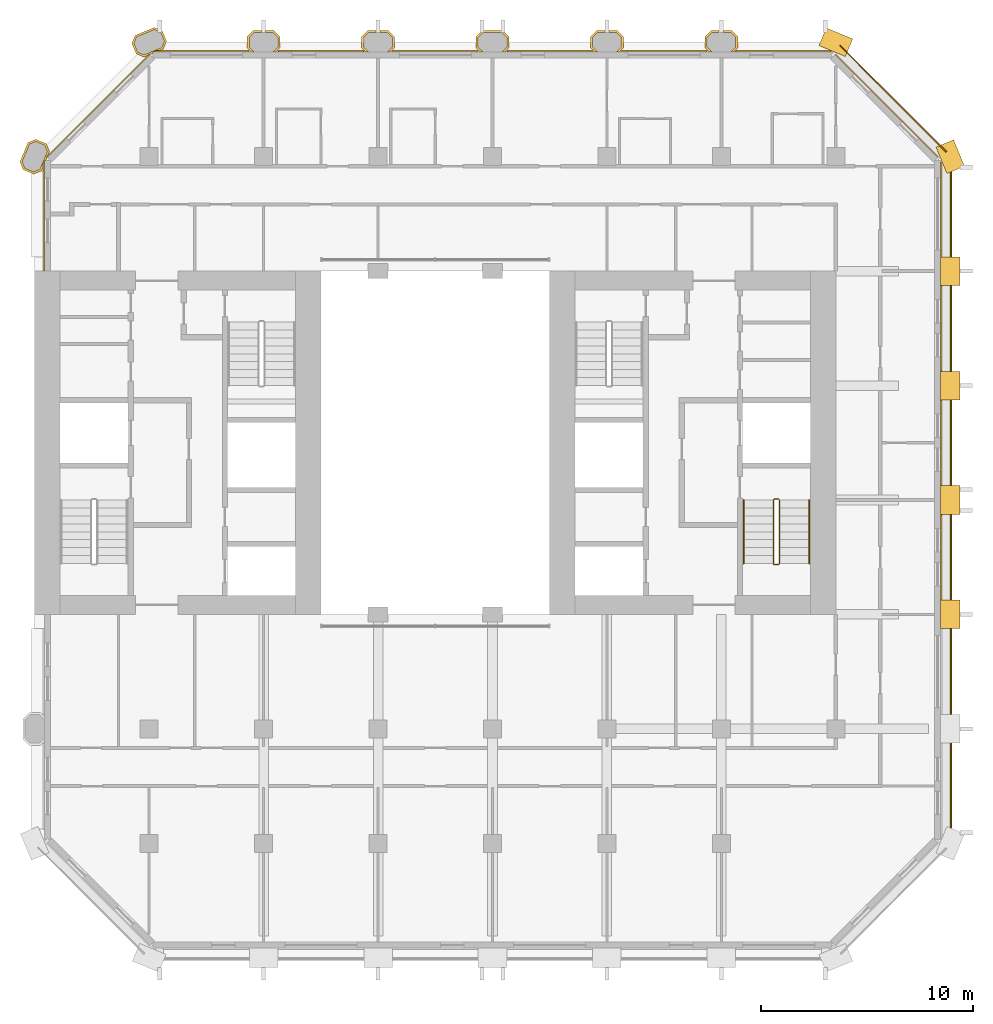
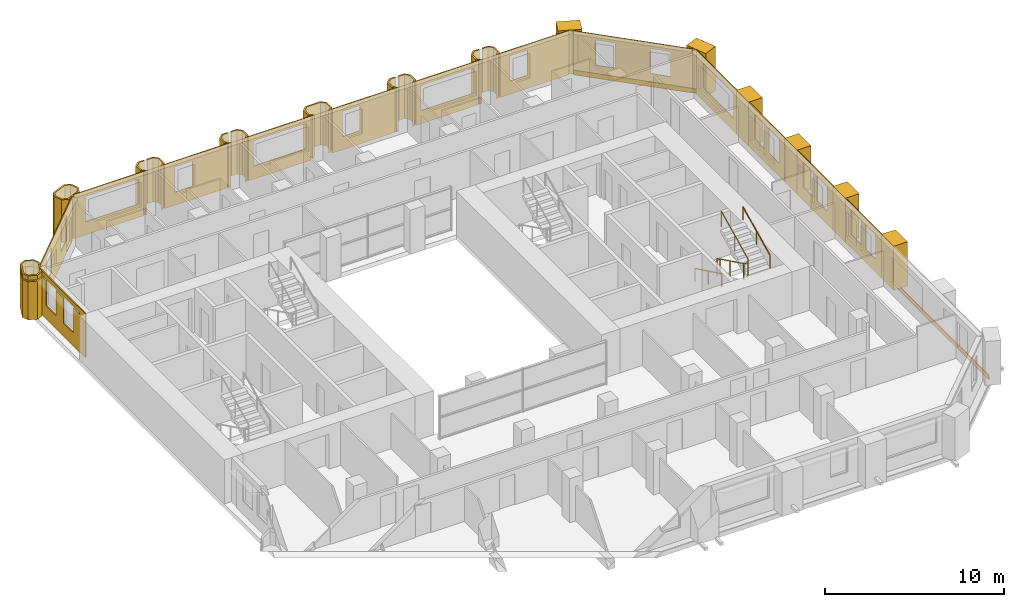
# One storey, part 13 of 13: 33 coverings, 3 railings.
"""IFC4 building model written with IfcOpenShell, lengths in metres."""

from ifc_helpers import new_model, si_unit, direction, frame, frame_2d, origin, origin_2d, place, context, subcontext, project, spatial, polyline, rectangle, circle, outline, extrude, material, layer, layer_set, type_object, element, save


model = new_model("IFC4")

# Units and contexts
model_context = context("Model", 3, precision=1e-05, world=origin(), true_north=direction((0.0, 1.0)))
body_context = subcontext(model_context, "Body", "Model", "MODEL_VIEW")
ifc_project = project(units=[si_unit("LENGTHUNIT", "METRE"), si_unit("AREAUNIT", "SQUARE_METRE"), si_unit("VOLUMEUNIT", "CUBIC_METRE"), si_unit("PLANEANGLEUNIT", "RADIAN"), si_unit("MASSUNIT", "GRAM", prefix="KILO")], contexts=[model_context])

# Site, building, storey
site_placement = place(None, origin())
site = spatial("IfcSite", under=ifc_project, at=site_placement, CompositionType="ELEMENT")
building_placement = place(site_placement, origin())
building = spatial("IfcBuilding", under=site, at=building_placement, Name="Tabaq Tower and Sports Hall", CompositionType="ELEMENT")
storey_placement = place(building_placement, frame((0.0, 0.0, 169.300048828125)))
storey = spatial("IfcBuildingStorey", under=building, at=storey_placement, Name="L40", CompositionType="ELEMENT", Elevation=169.300048828125)

# Coverings
ifc_material_1 = material(Name="Precast concrete C60/75", Category="concrete")
ifc_layer_1 = layer(ifc_material_1, 0.10009765625)
ifc_layer_set_1 = layer_set([ifc_layer_1], Name="Column cladding 100")
covering_type_1 = type_object("IfcCoveringType", Name="Column cladding 100", PredefinedType="CLADDING", material=ifc_layer_set_1)
covering_1_placement = place(storey_placement, origin())
element("IfcCovering", 1, at=covering_1_placement, inside=storey, type_object=covering_type_1, Name="Column cladding L40 PC-2H-H1", PredefinedType="CLADDING", context=body_context, shape_type="SweptSolid", body=[
    extrude(outline(polyline([(4.857421875, 37.186279296875), (4.7041015625, 37.556396484375), (5.080078125, 38.46435546875), (5.450439453125, 38.61767578125), (5.9423828125, 38.413818359375), (6.095947265625, 38.04345703125), (6.026123046875, 37.875), (5.9501953125, 37.799072265625), (5.9814453125, 37.767578125), (5.91796875, 37.614013671875), (5.849609375, 37.614013671875), (5.849609375, 37.55712890625), (5.789794921875, 37.55712890625), (5.789794921875, 37.304443359375), (5.7197265625, 37.1357421875), (5.349609375, 36.982421875), (4.857421875, 37.186279296875)]), holes=[polyline([(5.866455078125, 38.337646484375), (5.450439453125, 38.510009765625), (5.15625, 38.38818359375), (4.811767578125, 37.556396484375), (4.93359375, 37.26220703125), (5.349609375, 37.08984375), (5.643798828125, 37.2119140625), (5.98828125, 38.04345703125), (5.866455078125, 38.337646484375)])]), origin(), (0.0, 0.0, 1.0), 2.599853515625),
])
covering_2_placement = place(storey_placement, frame((0.0, 0.0, 2.699951171875)))
element("IfcCovering", 2, at=covering_2_placement, inside=storey, type_object=covering_type_1, Name="Column cladding L40 PC-2H-H1 2", PredefinedType="CLADDING", context=body_context, shape_type="SweptSolid", body=[
    extrude(outline(polyline([(4.857421875, 37.186279296875), (4.7041015625, 37.556396484375), (5.080078125, 38.46435546875), (5.450439453125, 38.61767578125), (5.9423828125, 38.413818359375), (6.095947265625, 38.04345703125), (6.026123046875, 37.875), (5.9501953125, 37.799072265625), (5.9814453125, 37.767578125), (5.91796875, 37.614013671875), (5.849609375, 37.614013671875), (5.849609375, 37.55712890625), (5.789794921875, 37.55712890625), (5.789794921875, 37.304443359375), (5.7197265625, 37.1357421875), (5.349609375, 36.982421875), (4.857421875, 37.186279296875)]), holes=[polyline([(5.866455078125, 38.337646484375), (5.450439453125, 38.510009765625), (5.15625, 38.38818359375), (4.811767578125, 37.556396484375), (4.93359375, 37.26220703125), (5.349609375, 37.08984375), (5.643798828125, 37.2119140625), (5.98828125, 38.04345703125), (5.866455078125, 38.337646484375)])]), origin(), (0.0, 0.0, 1.0), 0.300048828125),
])
covering_3_placement = place(storey_placement, frame((0.0, 0.0, 0.099853515625)))
element("IfcCovering", 3, at=covering_3_placement, inside=storey, type_object=covering_type_1, Name="Column cladding L40 PC-3I-H1", PredefinedType="CLADDING", context=body_context, shape_type="SweptSolid", body=[
    extrude(outline(polyline([(9.982421875, 43.149658203125), (10.1357421875, 43.519775390625), (11.04345703125, 43.895751953125), (11.413818359375, 43.742431640625), (11.61767578125, 43.25048828125), (11.46435546875, 42.880126953125), (11.295654296875, 42.810302734375), (11.04296875, 42.810302734375), (11.04296875, 42.750244140625), (10.986083984375, 42.750244140625), (10.986083984375, 42.68212890625), (10.83251953125, 42.618408203125), (10.801025390625, 42.64990234375), (10.72509765625, 42.573974609375), (10.556396484375, 42.504150390625), (10.186279296875, 42.657470703125), (9.982421875, 43.149658203125)]), holes=[polyline([(11.510009765625, 43.25048828125), (11.337646484375, 43.66650390625), (11.04345703125, 43.788330078125), (10.2119140625, 43.44384765625), (10.08984375, 43.149658203125), (10.26220703125, 42.733642578125), (10.556396484375, 42.61181640625), (11.38818359375, 42.956298828125), (11.510009765625, 43.25048828125)])]), origin(), (0.0, 0.0, 1.0), 2.900146484375),
])
covering_4_placement = place(storey_placement, origin())
element("IfcCovering", 4, at=covering_4_placement, inside=storey, type_object=covering_type_1, Name="Column cladding L40 PC-4I-H1", PredefinedType="CLADDING", context=body_context, shape_type="SweptSolid", body=[
    extrude(outline(polyline([(16.69140625, 43.749755859375), (16.974609375, 43.46630859375), (16.974609375, 42.93359375), (16.791259765625, 42.750244140625), (16.650634765625, 42.750244140625), (16.875244140625, 42.974853515625), (16.875244140625, 43.425048828125), (16.650146484375, 43.650390625), (16.30029296875, 43.650390625), (16.30029296875, 43.749755859375), (16.69140625, 43.749755859375)])), origin(), (0.0, 0.0, 1.0), 3.0),
])
covering_5_placement = place(storey_placement, origin())
element("IfcCovering", 5, at=covering_5_placement, inside=storey, type_object=covering_type_1, Name="Column cladding L40 PC-4I-H1 2", PredefinedType="CLADDING", context=body_context, shape_type="SweptSolid", body=[
    extrude(outline(polyline([(15.42529296875, 43.46630859375), (15.708740234375, 43.749755859375), (16.099609375, 43.749755859375), (16.099609375, 43.650390625), (15.749755859375, 43.650390625), (15.524658203125, 43.425048828125), (15.524658203125, 42.974853515625), (15.749267578125, 42.750244140625), (15.608642578125, 42.750244140625), (15.42529296875, 42.93359375), (15.42529296875, 43.46630859375)])), origin(), (0.0, 0.0, 1.0), 3.0),
])
covering_6_placement = place(storey_placement, origin())
element("IfcCovering", 6, at=covering_6_placement, inside=storey, type_object=covering_type_1, Name="Column cladding L40 PC-5I-H1", PredefinedType="CLADDING", context=body_context, shape_type="SweptSolid", body=[
    extrude(outline(polyline([(22.09130859375, 43.749755859375), (22.374755859375, 43.46630859375), (22.374755859375, 42.93359375), (22.19140625, 42.750244140625), (22.05078125, 42.750244140625), (22.275390625, 42.974853515625), (22.275390625, 43.425048828125), (22.050048828125, 43.650390625), (21.7001953125, 43.650390625), (21.7001953125, 43.749755859375), (22.09130859375, 43.749755859375)])), origin(), (0.0, 0.0, 1.0), 3.0),
])
covering_7_placement = place(storey_placement, origin())
element("IfcCovering", 7, at=covering_7_placement, inside=storey, type_object=covering_type_1, Name="Column cladding L40 PC-5I-H1 2", PredefinedType="CLADDING", context=body_context, shape_type="SweptSolid", body=[
    extrude(outline(polyline([(20.8251953125, 43.46630859375), (21.108642578125, 43.749755859375), (21.499755859375, 43.749755859375), (21.499755859375, 43.650390625), (21.14990234375, 43.650390625), (20.9248046875, 43.425048828125), (20.9248046875, 42.974853515625), (21.149169921875, 42.750244140625), (21.0087890625, 42.750244140625), (20.8251953125, 42.93359375), (20.8251953125, 43.46630859375)])), origin(), (0.0, 0.0, 1.0), 3.0),
])
covering_8_placement = place(storey_placement, frame((0.0, 0.0, 0.099853515625)))
element("IfcCovering", 8, at=covering_8_placement, inside=storey, type_object=covering_type_1, Name="Column cladding L40 PC-6I-H1", PredefinedType="CLADDING", context=body_context, shape_type="SweptSolid", body=[
    extrude(outline(polyline([(26.225341796875, 43.46630859375), (26.5087890625, 43.749755859375), (27.4912109375, 43.749755859375), (27.774658203125, 43.46630859375), (27.774658203125, 42.93359375), (27.59130859375, 42.750244140625), (27.45068359375, 42.750244140625), (27.67529296875, 42.974853515625), (27.67529296875, 43.425048828125), (27.4501953125, 43.650390625), (26.5498046875, 43.650390625), (26.32470703125, 43.425048828125), (26.32470703125, 42.974853515625), (26.54931640625, 42.750244140625), (26.40869140625, 42.750244140625), (26.225341796875, 42.93359375), (26.225341796875, 43.46630859375)])), origin(), (0.0, 0.0, 1.0), 2.900146484375),
])
covering_9_placement = place(storey_placement, origin())
element("IfcCovering", 9, at=covering_9_placement, inside=storey, type_object=covering_type_1, Name="Column cladding L40 PC-7I-H1", PredefinedType="CLADDING", context=body_context, shape_type="SweptSolid", body=[
    extrude(outline(polyline([(31.625244140625, 43.46630859375), (31.90869140625, 43.749755859375), (32.2998046875, 43.749755859375), (32.2998046875, 43.650390625), (31.949951171875, 43.650390625), (31.724609375, 43.425048828125), (31.724609375, 42.974853515625), (31.94921875, 42.750244140625), (31.80859375, 42.750244140625), (31.625244140625, 42.93359375), (31.625244140625, 43.46630859375)])), origin(), (0.0, 0.0, 1.0), 3.0),
])
covering_10_placement = place(storey_placement, origin())
element("IfcCovering", 10, at=covering_10_placement, inside=storey, type_object=covering_type_1, Name="Column cladding L40 PC-7I-H1 2", PredefinedType="CLADDING", context=body_context, shape_type="SweptSolid", body=[
    extrude(outline(polyline([(32.891357421875, 43.749755859375), (33.1748046875, 43.46630859375), (33.1748046875, 42.93359375), (32.9912109375, 42.750244140625), (32.850830078125, 42.750244140625), (33.0751953125, 42.974853515625), (33.0751953125, 43.425048828125), (32.85009765625, 43.650390625), (32.500244140625, 43.650390625), (32.500244140625, 43.749755859375), (32.891357421875, 43.749755859375)])), origin(), (0.0, 0.0, 1.0), 3.0),
])
covering_11_placement = place(storey_placement, origin())
element("IfcCovering", 11, at=covering_11_placement, inside=storey, type_object=covering_type_1, Name="Column cladding L40 PC-8I-H1", PredefinedType="CLADDING", context=body_context, shape_type="SweptSolid", body=[
    extrude(outline(polyline([(37.025390625, 43.46630859375), (37.30859375, 43.749755859375), (37.69970703125, 43.749755859375), (37.69970703125, 43.650390625), (37.349853515625, 43.650390625), (37.124755859375, 43.425048828125), (37.124755859375, 42.974853515625), (37.349365234375, 42.750244140625), (37.208740234375, 42.750244140625), (37.025390625, 42.93359375), (37.025390625, 43.46630859375)])), origin(), (0.0, 0.0, 1.0), 3.0),
])
covering_12_placement = place(storey_placement, origin())
element("IfcCovering", 12, at=covering_12_placement, inside=storey, type_object=covering_type_1, Name="Column cladding L40 PC-8I-H1 2", PredefinedType="CLADDING", context=body_context, shape_type="SweptSolid", body=[
    extrude(outline(polyline([(38.291259765625, 43.749755859375), (38.57470703125, 43.46630859375), (38.57470703125, 42.93359375), (38.391357421875, 42.750244140625), (38.250732421875, 42.750244140625), (38.475341796875, 42.974853515625), (38.475341796875, 43.425048828125), (38.250244140625, 43.650390625), (37.900390625, 43.650390625), (37.900390625, 43.749755859375), (38.291259765625, 43.749755859375)])), origin(), (0.0, 0.0, 1.0), 3.0),
])
ifc_material_2 = material(Name="Precast concrete C60/75", Category="concrete")
ifc_layer_2 = layer(ifc_material_2, 0.06005859375)
ifc_layer_set_2 = layer_set([ifc_layer_2], Name="Edge beam cladding 60")
covering_type_2 = type_object("IfcCoveringType", Name="Edge beam cladding 60", PredefinedType="CLADDING", material=ifc_layer_set_2)
covering_13_placement = place(storey_placement, frame((48.6298828125, 5.698486328125, -0.300048828125), z_axis=(0.0, 0.0, 1.0), x_axis=(0.0, 1.0, 0.0)))
element("IfcCovering", 13, at=covering_13_placement, inside=storey, type_object=covering_type_2, Name="Edge beam cladding L40 3", PredefinedType="CLADDING", context=body_context, shape_type="SweptSolid", body=[
    extrude(rectangle(XDim=31.802978515625, YDim=0.06005859375, at=frame_2d((15.9013671875, 0.0))), origin(), (0.0, 0.0, 1.0), 0.300048828125),
])
covering_14_placement = place(storey_placement, frame((48.41015625, 38.0322265625, -0.300048828125), z_axis=(0.0, 0.0, 1.0), x_axis=(-0.707106781187, 0.707106781187, 0.0)))
element("IfcCovering", 14, at=covering_14_placement, inside=storey, type_object=covering_type_2, Name="Edge beam cladding L40 4", PredefinedType="CLADDING", context=body_context, shape_type="SweptSolid", body=[
    extrude(rectangle(XDim=7.08837890625, YDim=0.06005859375, at=frame_2d((3.544189453125, 0.0))), origin(), (0.0, 0.0, 1.0), 0.300048828125),
])
ifc_material_3 = material(Name="White precast concrete C60/75", Category="concrete")
covering_type_3 = type_object("IfcCoveringType", Name="Pier cladding hung 1350x900", PredefinedType="CLADDING", material=ifc_material_3)
for number, where, z_axis, x_axis, name in (
    (15, (43.82373046875, 42.941650390625, 0.0), (0.0, 0.0, 1.0), (-0.923893411637, 0.382649923473, 0.0), "Hung pier cladding 8/8"),
    (16, (48.60009765625, 15.52490234375, 0.0), (0.0, 0.0, 1.0), (0.0, 1.0, 0.0), "Hung pier cladding 9/3"),
):
    element("IfcCovering", number, at=place(storey_placement, frame(where, z_axis=z_axis, x_axis=x_axis)), inside=storey, type_object=covering_type_3, Name=name, PredefinedType="CLADDING", context=body_context, shape_type="SweptSolid", body=[
        extrude(rectangle(XDim=1.35009765625, YDim=0.89990234375, at=frame_2d((0.675048828125, 0.0))), origin(), (0.0, 0.0, 1.0), 3.0),
    ])
covering_15_placement = place(storey_placement, frame((48.60009765625, 20.925048828125, 0.0), z_axis=(0.0, 0.0, 1.0), x_axis=(0.0, 1.0, 0.0)))
element("IfcCovering", 17, at=covering_15_placement, inside=storey, type_object=covering_type_3, Name="Hung pier cladding 9/4", PredefinedType="CLADDING", context=body_context, shape_type="SweptSolid", body=[
    extrude(rectangle(XDim=1.349853515625, YDim=0.89990234375, at=frame_2d((0.6748046875, 0.0))), origin(), (0.0, 0.0, 1.0), 3.0),
])
covering_16_placement = place(storey_placement, frame((48.60009765625, 26.324951171875, 0.0), z_axis=(0.0, 0.0, 1.0), x_axis=(0.0, 1.0, 0.0)))
element("IfcCovering", 18, at=covering_16_placement, inside=storey, type_object=covering_type_3, Name="Hung pier cladding 9/5", PredefinedType="CLADDING", context=body_context, shape_type="SweptSolid", body=[
    extrude(rectangle(XDim=1.35009765625, YDim=0.89990234375, at=frame_2d((0.675048828125, 0.0))), origin(), (0.0, 0.0, 1.0), 3.0),
])
covering_17_placement = place(storey_placement, frame((48.60009765625, 31.72509765625, 0.0), z_axis=(0.0, 0.0, 1.0), x_axis=(0.0, 1.0, 0.0)))
element("IfcCovering", 19, at=covering_17_placement, inside=storey, type_object=covering_type_3, Name="Hung pier cladding 9/6", PredefinedType="CLADDING", context=body_context, shape_type="SweptSolid", body=[
    extrude(rectangle(XDim=1.349853515625, YDim=0.89990234375, at=frame_2d((0.6748046875, 0.0))), origin(), (0.0, 0.0, 1.0), 3.0),
])
covering_18_placement = place(storey_placement, frame((48.8583984375, 37.17626953125, 0.0), z_axis=(0.0, 0.0, 1.0), x_axis=(-0.382649923473, 0.923893411637, 0.0)))
element("IfcCovering", 20, at=covering_18_placement, inside=storey, type_object=covering_type_3, Name="Hung pier cladding 9/7", PredefinedType="CLADDING", context=body_context, shape_type="SweptSolid", body=[
    extrude(rectangle(XDim=1.35009765625, YDim=0.89990234375, at=frame_2d((0.675048828125, 0.0))), origin(), (0.0, 0.0, 1.0), 3.0),
])

# Railings
ifc_material_4 = material(Name="Stainless steel", Category="steel")
railing_type_1 = type_object("IfcRailingType", Name="Stair guard", PredefinedType="GUARDRAIL", material=ifc_material_4)
railing_1_placement = place(storey_placement, frame((40.5, 21.64990234375, 0.0)))
element("IfcRailing", 21, at=railing_1_placement, inside=storey, type_object=railing_type_1, Name="L40 ST3 stair guard 1", PredefinedType="GUARDRAIL", context=body_context, shape_type="SweptSolid", body=[
    extrude(circle(Radius=0.02392578125, at=origin_2d()), frame((0.0, 0.0, 1.076171875), z_axis=(-1.0, 0.0, 0.0), x_axis=(0.0, -1.0, 0.0)), (0.0, 0.0, 1.0), 0.199951171875),
    extrude(circle(Radius=0.02392578125, at=origin_2d()), frame((-0.199951171875, 0.0, 1.076171875), z_axis=(-0.254733673405, -0.25349107012, 0.933195066962), x_axis=(0.705375805398, -0.708833529934, 0.0)), (0.0, 0.0, 1.0), 0.196533203125),
    extrude(circle(Radius=0.02392578125, at=origin_2d()), frame((-0.25, -0.0498046875, 1.25927734375), z_axis=(0.0, -0.898397823093, 0.439182594671), x_axis=(1.0, 0.0, 0.0)), (0.0, 0.0, 1.0), 3.33935546875),
    extrude(circle(Radius=0.02392578125, at=origin_2d()), frame((-0.25, -3.0498046875, 2.72607421875), z_axis=(0.707106781187, -0.707106781187, 0.0), x_axis=(0.707106781187, 0.707106781187, 0.0)), (0.0, 0.0, 1.0), 0.07080078125),
    extrude(circle(Radius=0.02392578125, at=origin_2d()), frame((-0.199951171875, -3.099853515625, 2.72607421875), z_axis=(1.0, 0.0, 0.0), x_axis=(0.0, 1.0, 0.0)), (0.0, 0.0, 1.0), 0.199951171875),
    extrude(circle(Radius=0.02392578125, at=origin_2d()), frame((0.0, -3.099853515625, 2.72607421875), z_axis=(0.254653276557, 0.254653276557, 0.932900539971), x_axis=(-0.707106781187, 0.707106781187, 0.0)), (0.0, 0.0, 1.0), 0.196533203125),
    extrude(circle(Radius=0.02392578125, at=origin_2d()), frame((0.050048828125, -3.0498046875, 2.9091796875), z_axis=(0.0, 0.898368975038, 0.439241601728), x_axis=(-1.0, 0.0, 0.0)), (0.0, 0.0, 1.0), 3.33935546875),
    extrude(circle(Radius=0.02099609375, at=origin_2d()), origin(), (0.0, 0.0, 1.0), 1.052001953125),
    extrude(circle(Radius=0.02099609375, at=origin_2d()), frame((-0.199951171875, 0.0, 0.0)), (0.0, 0.0, 1.0), 1.052001953125),
    extrude(circle(Radius=0.02099609375, at=origin_2d()), frame((-0.25, -0.0498046875, 0.183349609375)), (0.0, 0.0, 1.0), 1.052001953125),
    extrude(circle(Radius=0.02099609375, at=origin_2d()), frame((-0.25, -1.5498046875, 0.91650390625)), (0.0, 0.0, 1.0), 1.052001953125),
    extrude(circle(Radius=0.02099609375, at=origin_2d()), frame((-0.25, -3.0498046875, 1.64990234375)), (0.0, 0.0, 1.0), 1.052001953125),
    extrude(circle(Radius=0.02099609375, at=origin_2d()), frame((-0.199951171875, -3.099853515625, 1.64990234375)), (0.0, 0.0, 1.0), 1.052001953125),
    extrude(circle(Radius=0.02099609375, at=origin_2d()), frame((0.0, -3.099853515625, 1.64990234375)), (0.0, 0.0, 1.0), 1.052001953125),
    extrude(circle(Radius=0.02099609375, at=origin_2d()), frame((0.050048828125, -3.0498046875, 1.833251953125)), (0.0, 0.0, 1.0), 1.052001953125),
    extrude(circle(Radius=0.02099609375, at=origin_2d()), frame((0.050048828125, -1.5498046875, 2.566650390625)), (0.0, 0.0, 1.0), 1.052001953125),
    extrude(circle(Radius=0.02099609375, at=origin_2d()), frame((0.050048828125, -0.0498046875, 3.300048828125)), (0.0, 0.0, 1.0), 1.052001953125),
])
ifc_material_5 = material(Name="Stainless steel", Category="steel")
railing_type_2 = type_object("IfcRailingType", Name="Stair handrail", PredefinedType="HANDRAIL", material=ifc_material_5)
railing_2_placement = place(storey_placement, frame((38.85009765625, 21.60009765625, 0.183349609375)))
element("IfcRailing", 22, at=railing_2_placement, inside=storey, type_object=railing_type_2, Name="L40 ST3 stair handrail 1", PredefinedType="HANDRAIL", context=body_context, shape_type="SweptSolid", body=[
    extrude(circle(Radius=0.02392578125, at=origin_2d()), frame((0.0, 0.0, 0.8759765625), z_axis=(0.0, -0.898397823093, 0.439182594671), x_axis=(1.0, 0.0, 0.0)), (0.0, 0.0, 1.0), 3.33935546875),
    extrude(circle(Radius=0.02099609375, at=origin_2d()), origin(), (0.0, 0.0, 1.0), 0.851806640625),
    extrude(circle(Radius=0.02099609375, at=origin_2d()), frame((0.0, -1.5, 0.7333984375)), (0.0, 0.0, 1.0), 0.851806640625),
    extrude(circle(Radius=0.02099609375, at=origin_2d()), frame((0.0, -3.0, 1.466552734375)), (0.0, 0.0, 1.0), 0.851806640625),
])
railing_3_placement = place(storey_placement, frame((41.949951171875, 18.60009765625, 1.833251953125)))
element("IfcRailing", 23, at=railing_3_placement, inside=storey, type_object=railing_type_2, Name="L40 ST3 stair handrail 2", PredefinedType="HANDRAIL", context=body_context, shape_type="SweptSolid", body=[
    extrude(circle(Radius=0.02392578125, at=origin_2d()), frame((0.0, 0.0, 0.8759765625), z_axis=(0.0, 0.898368975038, 0.439241601728), x_axis=(-1.0, 0.0, 0.0)), (0.0, 0.0, 1.0), 3.33935546875),
    extrude(circle(Radius=0.02099609375, at=origin_2d()), origin(), (0.0, 0.0, 1.0), 0.851806640625),
    extrude(circle(Radius=0.02099609375, at=origin_2d()), frame((0.0, 1.5, 0.7333984375)), (0.0, 0.0, 1.0), 0.851806640625),
    extrude(circle(Radius=0.02099609375, at=origin_2d()), frame((0.0, 3.0, 1.466796875)), (0.0, 0.0, 1.0), 0.851806640625),
])

# Coverings
ifc_material_6 = material(Name="Precast concrete C60/75", Category="concrete")
ifc_layer_3 = layer(ifc_material_6, 0.06005859375)
ifc_layer_set_3 = layer_set([ifc_layer_3], Name="White precast cladding panel 60 C60/75")
covering_type_4 = type_object("IfcCoveringType", Name="White precast cladding panel 60 C60/75", PredefinedType="CLADDING", material=ifc_layer_set_3)
for number, where, z_axis, x_axis, name in (
    (24, (48.179931640625, 16.885009765625, 0.0), (0.0, 0.0, 1.0), (0.0, 1.0, 0.0), "White precast cladding panel L40 wall02 3"),
    (25, (48.179931640625, 22.284912109375, 0.0), (0.0, 0.0, 1.0), (0.0, 1.0, 0.0), "White precast cladding panel L40 wall02 4"),
    (26, (48.179931640625, 27.68505859375, 0.0), (0.0, 0.0, 1.0), (0.0, 1.0, 0.0), "White precast cladding panel L40 wall02 5"),
):
    element("IfcCovering", number, at=place(storey_placement, frame(where, z_axis=z_axis, x_axis=x_axis)), inside=storey, type_object=covering_type_4, Name=name, PredefinedType="CLADDING", context=body_context, shape_type="SweptSolid", body=[
        extrude(outline(polyline([(0.0, 0.0), (4.030029296875, 0.0), (4.030029296875, 3.0), (0.0, 3.0), (0.0, 0.0)]), holes=[polyline([(0.655029296875, 2.60986328125), (1.77490234375, 2.60986328125), (1.77490234375, 0.889892578125), (0.655029296875, 0.889892578125), (0.655029296875, 2.60986328125)]), polyline([(2.2548828125, 2.60986328125), (3.375, 2.60986328125), (3.375, 0.889892578125), (2.2548828125, 0.889892578125), (2.2548828125, 2.60986328125)])]), frame((0.0, 0.030029296875, 0.0), z_axis=(0.0, -1.0, 0.0), x_axis=(1.0, 0.0, 0.0)), (0.0, 0.0, 1.0), 0.06005859375),
    ])
covering_19_placement = place(storey_placement, frame((48.179931640625, 33.0849609375, 0.0), z_axis=(0.0, 0.0, 1.0), x_axis=(0.0, 1.0, 0.0)))
element("IfcCovering", 27, at=covering_19_placement, inside=storey, type_object=covering_type_4, Name="White precast cladding panel L40 wall02 6", PredefinedType="CLADDING", context=body_context, shape_type="SweptSolid", body=[
    extrude(outline(polyline([(0.0, 0.0), (4.471923828125, 0.0), (4.471923828125, 3.0), (0.0, 3.0), (0.0, 0.0)]), holes=[polyline([(0.304931640625, 0.889892578125), (0.304931640625, 2.60986328125), (3.72509765625, 2.60986328125), (3.72509765625, 0.889892578125), (0.304931640625, 0.889892578125)])]), frame((0.0, 0.030029296875, 0.0), z_axis=(0.0, -1.0, 0.0), x_axis=(1.0, 0.0, 0.0)), (0.0, 0.0, 1.0), 0.06005859375),
])
covering_20_placement = place(storey_placement, frame((48.0283203125, 37.77783203125, 0.0), z_axis=(0.0, 0.0, 1.0), x_axis=(-0.707124576528, 0.707088985397, 0.0)))
element("IfcCovering", 28, at=covering_20_placement, inside=storey, type_object=covering_type_4, Name="White precast cladding panel L40 wall03", PredefinedType="CLADDING", context=body_context, shape_type="SweptSolid", body=[
    extrude(outline(polyline([(0.0, 0.0), (6.859619140625, 0.0), (6.859619140625, 3.0), (0.0, 3.0), (0.0, 0.0)]), holes=[polyline([(1.269775390625, 2.60986328125), (2.389892578125, 2.60986328125), (2.389892578125, 0.889892578125), (1.269775390625, 0.889892578125), (1.269775390625, 2.60986328125)]), polyline([(4.4697265625, 2.60986328125), (5.58984375, 2.60986328125), (5.58984375, 0.889892578125), (4.4697265625, 0.889892578125), (4.4697265625, 2.60986328125)])]), frame((0.0, 0.030029296875, 0.0), z_axis=(0.0, -1.0, 0.0), x_axis=(1.0, 0.0, 0.0)), (0.0, 0.0, 1.0), 0.06005859375),
])
covering_21_placement = place(storey_placement, frame((42.956787109375, 42.780029296875, 0.0), z_axis=(0.0, 0.0, 1.0), x_axis=(-1.0, 0.0, 0.0)))
element("IfcCovering", 29, at=covering_21_placement, inside=storey, type_object=covering_type_4, Name="White precast cladding panel L40 wall04", PredefinedType="CLADDING", context=body_context, shape_type="SweptSolid", body=[
    extrude(outline(polyline([(0.0, 0.0), (4.4716796875, 0.0), (4.4716796875, 3.0), (0.0, 3.0), (0.0, 0.0)]), holes=[polyline([(2.69677734375, 0.889892578125), (2.69677734375, 2.60986328125), (3.81689453125, 2.60986328125), (3.81689453125, 0.889892578125), (2.69677734375, 0.889892578125)])]), frame((0.0, 0.030029296875, 0.0), z_axis=(0.0, -1.0, 0.0), x_axis=(1.0, 0.0, 0.0)), (0.0, 0.0, 1.0), 0.06005859375),
])
covering_22_placement = place(storey_placement, frame((37.114990234375, 42.780029296875, 0.0), z_axis=(0.0, 0.0, 1.0), x_axis=(-1.0, 0.0, 0.0)))
element("IfcCovering", 30, at=covering_22_placement, inside=storey, type_object=covering_type_4, Name="White precast cladding panel L40 wall04 2", PredefinedType="CLADDING", context=body_context, shape_type="SweptSolid", body=[
    extrude(outline(polyline([(0.0, 0.0), (4.030029296875, 0.0), (4.030029296875, 3.0), (0.0, 3.0), (0.0, 0.0)]), holes=[polyline([(0.304931640625, 0.889892578125), (0.304931640625, 2.60986328125), (3.72509765625, 2.60986328125), (3.72509765625, 0.889892578125), (0.304931640625, 0.889892578125)])]), frame((0.0, 0.030029296875, 0.0), z_axis=(0.0, -1.0, 0.0), x_axis=(1.0, 0.0, 0.0)), (0.0, 0.0, 1.0), 0.06005859375),
])
covering_23_placement = place(storey_placement, frame((31.715087890625, 42.780029296875, 0.0), z_axis=(0.0, 0.0, 1.0), x_axis=(-1.0, 0.0, 0.0)))
element("IfcCovering", 31, at=covering_23_placement, inside=storey, type_object=covering_type_4, Name="White precast cladding panel L40 wall04 3", PredefinedType="CLADDING", context=body_context, shape_type="SweptSolid", body=[
    extrude(outline(polyline([(0.0, 0.0), (4.030029296875, 0.0), (4.030029296875, 3.0), (0.0, 3.0), (0.0, 0.0)]), holes=[polyline([(2.2548828125, 0.889892578125), (2.2548828125, 2.60986328125), (3.375, 2.60986328125), (3.375, 0.889892578125), (2.2548828125, 0.889892578125)])]), frame((0.0, 0.030029296875, 0.0), z_axis=(0.0, -1.0, 0.0), x_axis=(1.0, 0.0, 0.0)), (0.0, 0.0, 1.0), 0.06005859375),
])
covering_24_placement = place(storey_placement, frame((26.31494140625, 42.780029296875, 0.0), z_axis=(0.0, 0.0, 1.0), x_axis=(-1.0, 0.0, 0.0)))
element("IfcCovering", 32, at=covering_24_placement, inside=storey, type_object=covering_type_4, Name="White precast cladding panel L40 wall04 4", PredefinedType="CLADDING", context=body_context, shape_type="SweptSolid", body=[
    extrude(outline(polyline([(0.0, 0.0), (4.030029296875, 0.0), (4.030029296875, 3.0), (0.0, 3.0), (0.0, 0.0)]), holes=[polyline([(0.304931640625, 0.889892578125), (0.304931640625, 2.60986328125), (3.72509765625, 2.60986328125), (3.72509765625, 0.889892578125), (0.304931640625, 0.889892578125)])]), frame((0.0, 0.030029296875, 0.0), z_axis=(0.0, -1.0, 0.0), x_axis=(1.0, 0.0, 0.0)), (0.0, 0.0, 1.0), 0.06005859375),
])
covering_25_placement = place(storey_placement, frame((20.9150390625, 42.780029296875, 0.0), z_axis=(0.0, 0.0, 1.0), x_axis=(-1.0, 0.0, 0.0)))
element("IfcCovering", 33, at=covering_25_placement, inside=storey, type_object=covering_type_4, Name="White precast cladding panel L40 wall04 5", PredefinedType="CLADDING", context=body_context, shape_type="SweptSolid", body=[
    extrude(outline(polyline([(0.0, 0.0), (4.030029296875, 0.0), (4.030029296875, 3.0), (0.0, 3.0), (0.0, 0.0)]), holes=[polyline([(2.2548828125, 0.889892578125), (2.2548828125, 2.60986328125), (3.375, 2.60986328125), (3.375, 0.889892578125), (2.2548828125, 0.889892578125)])]), frame((0.0, 0.030029296875, 0.0), z_axis=(0.0, -1.0, 0.0), x_axis=(1.0, 0.0, 0.0)), (0.0, 0.0, 1.0), 0.06005859375),
])
covering_26_placement = place(storey_placement, frame((15.514892578125, 42.780029296875, 0.0), z_axis=(0.0, 0.0, 1.0), x_axis=(-1.0, 0.0, 0.0)))
element("IfcCovering", 34, at=covering_26_placement, inside=storey, type_object=covering_type_4, Name="White precast cladding panel L40 wall04 6", PredefinedType="CLADDING", context=body_context, shape_type="SweptSolid", body=[
    extrude(outline(polyline([(0.0, 0.0), (4.4716796875, 0.0), (4.4716796875, 3.0), (0.0, 3.0), (0.0, 0.0)]), holes=[polyline([(0.304931640625, 0.889892578125), (0.304931640625, 2.60986328125), (3.72509765625, 2.60986328125), (3.72509765625, 0.889892578125), (0.304931640625, 0.889892578125)])]), frame((0.0, 0.030029296875, 0.0), z_axis=(0.0, -1.0, 0.0), x_axis=(1.0, 0.0, 0.0)), (0.0, 0.0, 1.0), 0.06005859375),
])
covering_27_placement = place(storey_placement, frame((10.822265625, 42.628173828125, 0.0), z_axis=(0.0, 0.0, 1.0), x_axis=(-0.707124576528, -0.707088985397, 0.0)))
element("IfcCovering", 35, at=covering_27_placement, inside=storey, type_object=covering_type_4, Name="White precast cladding panel L40 wall05", PredefinedType="CLADDING", context=body_context, shape_type="SweptSolid", body=[
    extrude(outline(polyline([(0.0, 0.0), (6.859619140625, 0.0), (6.859619140625, 3.0), (0.0, 3.0), (0.0, 0.0)]), holes=[polyline([(1.269775390625, 2.60986328125), (2.389892578125, 2.60986328125), (2.389892578125, 0.889892578125), (1.269775390625, 0.889892578125), (1.269775390625, 2.60986328125)]), polyline([(4.4697265625, 2.60986328125), (5.58984375, 2.60986328125), (5.58984375, 0.889892578125), (4.4697265625, 0.889892578125), (4.4697265625, 2.60986328125)])]), frame((0.0, 0.030029296875, 0.0), z_axis=(0.0, -1.0, 0.0), x_axis=(1.0, 0.0, 0.0)), (0.0, 0.0, 1.0), 0.06005859375),
])
covering_28_placement = place(storey_placement, frame((5.820068359375, 37.556884765625, 0.0), z_axis=(0.0, 0.0, 1.0), x_axis=(0.0, -1.0, 0.0)))
element("IfcCovering", 36, at=covering_28_placement, inside=storey, type_object=covering_type_4, Name="White precast cladding panel L40 wall06", PredefinedType="CLADDING", context=body_context, shape_type="SweptSolid", body=[
    extrude(outline(polyline([(0.0, 0.0), (5.156982421875, 0.0), (5.156982421875, 3.0), (0.0, 3.0), (0.0, 0.0)]), holes=[polyline([(0.746826171875, 2.58984375), (0.421875, 2.58984375), (0.421875, 2.7099609375), (4.491943359375, 2.7099609375), (4.491943359375, 2.58984375), (3.81689453125, 2.58984375), (3.81689453125, 0.889892578125), (2.69677734375, 0.889892578125), (2.69677734375, 2.58984375), (1.866943359375, 2.58984375), (1.866943359375, 0.889892578125), (0.746826171875, 0.889892578125), (0.746826171875, 2.58984375)])]), frame((0.0, 0.030029296875, 0.0), z_axis=(0.0, -1.0, 0.0), x_axis=(1.0, 0.0, 0.0)), (0.0, 0.0, 1.0), 0.06005859375),
])

save(model, "model.ifc")
